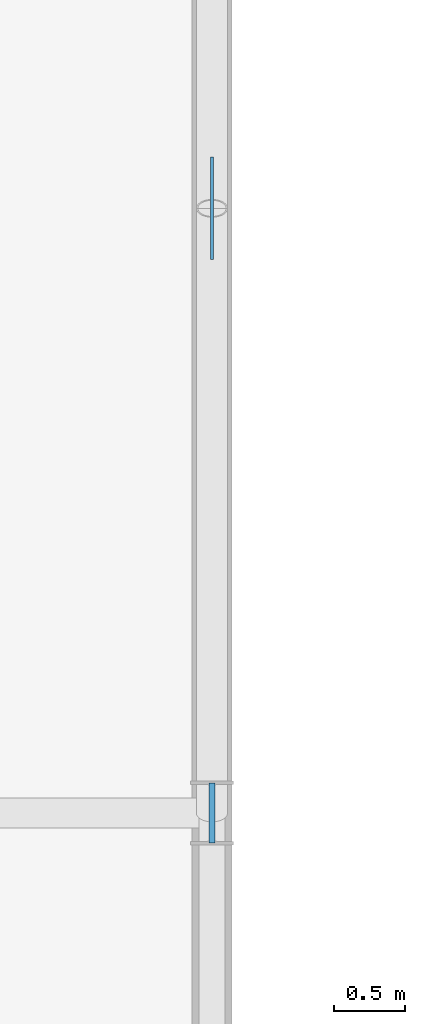
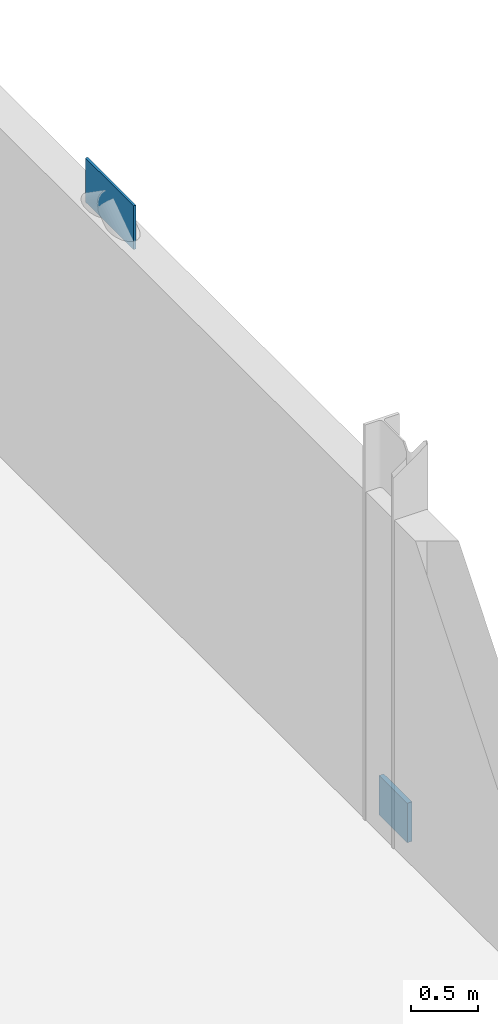
# One storey, part 17 of 36: 2 plates.
"""IFC4 building model written with IfcOpenShell, lengths in metres."""

import ifcopenshell
import ifcopenshell.guid

model = None  # the IFC model being written
_history = None  # IfcOwnerHistory: only IFC2X3 demands one
_inside = {}  # id of a spatial element -> (the spatial element, [elements in it])
_under = {}  # id of a project, library or spatial element -> (it, [spatial elements below it])
_declared = {}  # id of a project -> (the project, [libraries it declares])
_typed = {}  # id of a type object -> (the type object, [elements of that type])
_made_of = {}  # id of a material, layer set ... -> (it, [elements and type objects made of it])


def new_model(schema):
    """Start an empty IFC model of exactly this schema.

    Asked for "IFC4X3", IfcOpenShell would pick the latest addendum, in which some entities
    have other attributes; the version numbers below select the first issue.
    IFC2X3 requires an IfcOwnerHistory on every rooted entity: one is made here for all.
    """
    global model, _history
    if schema == "IFC4X3":
        model = ifcopenshell.file(schema_version=(4, 3, 0, 0))
    else:
        model = ifcopenshell.file(schema=schema)
    _inside.clear()
    _under.clear()
    _declared.clear()
    _typed.clear()
    _made_of.clear()
    _history = None
    if model.schema == "IFC2X3":
        org = make("IfcOrganization", Name="unknown")
        user = make(
            "IfcPersonAndOrganization",
            ThePerson=make("IfcPerson", FamilyName="unknown"),
            TheOrganization=org,
        )
        app = make(
            "IfcApplication",
            ApplicationDeveloper=org,
            Version="unknown",
            ApplicationFullName="unknown",
            ApplicationIdentifier="unknown",
        )
        _history = make(
            "IfcOwnerHistory",
            OwningUser=user,
            OwningApplication=app,
            ChangeAction="ADDED",
            CreationDate=0,
        )
    return model


def make(cls, **values):
    """One entity of the class cls with the attributes given. An attribute that is None is left unset."""
    return model.create_entity(
        cls, **{name: value for name, value in values.items() if value is not None}
    )


def rooted(cls, **values):
    """An entity with a GlobalId (a new one), such as an element, a storey or a relation."""
    return make(cls, GlobalId=ifcopenshell.guid.new(), OwnerHistory=_history, **values)


def si_unit(unit_type, name, prefix=None):
    """IfcSIUnit, for example si_unit("LENGTHUNIT", "METRE", prefix="MILLI")."""
    return make("IfcSIUnit", UnitType=unit_type, Prefix=prefix, Name=name)


def assignment(units):
    """IfcUnitAssignment: the units of a project."""
    return None if units is None else make("IfcUnitAssignment", Units=units)


def point(xyz):
    """IfcCartesianPoint."""
    return None if xyz is None else make("IfcCartesianPoint", Coordinates=xyz)


def direction(xyz):
    """IfcDirection."""
    return None if xyz is None else make("IfcDirection", DirectionRatios=xyz)


def frame(location, z_axis=None, x_axis=None):
    """IfcAxis2Placement3D, a coordinate frame: its origin and axes. An axis left out is left unset."""
    return make(
        "IfcAxis2Placement3D",
        Location=point(location),
        Axis=direction(z_axis),
        RefDirection=direction(x_axis),
    )


def frame_2d(location, x_axis=None):
    """IfcAxis2Placement2D, a coordinate frame in the plane: its origin and x axis."""
    return make(
        "IfcAxis2Placement2D", Location=point(location), RefDirection=direction(x_axis)
    )


def origin():
    """The frame at (0, 0, 0) with its axes left unset."""
    return frame((0.0, 0.0, 0.0))


def origin_2d():
    """The frame at (0, 0) in the plane with its x axis left unset."""
    return frame_2d((0.0, 0.0))


def place(relative_to, where):
    """IfcLocalPlacement: puts the frame where relative to a parent placement (None: the world)."""
    return make(
        "IfcLocalPlacement", PlacementRelTo=relative_to, RelativePlacement=where
    )


def context(
    kind, dimensions, precision=None, world=None, true_north=None, identifier=None
):
    """IfcGeometricRepresentationContext, for example the 3D "Model" context."""
    return make(
        "IfcGeometricRepresentationContext",
        ContextIdentifier=identifier,
        ContextType=kind,
        CoordinateSpaceDimension=dimensions,
        Precision=precision,
        WorldCoordinateSystem=world,
        TrueNorth=true_north,
    )


def subcontext(parent, identifier, kind, view, scale=None):
    """IfcGeometricRepresentationSubContext, for example "Body" below "Model"."""
    return make(
        "IfcGeometricRepresentationSubContext",
        ContextIdentifier=identifier,
        ContextType=kind,
        ParentContext=parent,
        TargetScale=scale,
        TargetView=view,
    )


def project(units=None, contexts=None):
    """IfcProject with its units and contexts."""
    return rooted(
        "IfcProject",
        Name="project",
        RepresentationContexts=contexts,
        UnitsInContext=assignment(units),
    )


def spatial(cls, under=None, at=None, **own):
    """A site, building, storey or space (cls), placed at a placement, below another one or the project."""
    s = rooted(cls, ObjectPlacement=at, **own)
    if under is not None:
        _under.setdefault(under.id(), (under, []))[1].append(s)
    return s


def profile(cls, at=None, kind="AREA", **sizes):
    """A parametric profile (cls). Its sizes go by their IFC names, for example OverallWidth=200.0."""
    return make(cls, ProfileType=kind, Position=at, **sizes)


def rectangle(**sizes):
    """IfcRectangleProfileDef."""
    return profile("IfcRectangleProfileDef", **sizes)


def extrude(swept, where, along, depth):
    """IfcExtrudedAreaSolid: the profile swept, set in the frame where, extruded along a direction by depth."""
    return make(
        "IfcExtrudedAreaSolid",
        SweptArea=swept,
        Position=where,
        ExtrudedDirection=direction(along),
        Depth=depth,
    )


def shape(context_of_items, identifier, shape_type, items):
    """IfcShapeRepresentation: the items that make up one representation, for example the "Body"."""
    return make(
        "IfcShapeRepresentation",
        ContextOfItems=context_of_items,
        RepresentationIdentifier=identifier,
        RepresentationType=shape_type,
        Items=items,
    )


def material(Name=None, Category=None):
    """IfcMaterial."""
    return make("IfcMaterial", Name=Name, Category=Category)


def layer(
    of_material, thickness, ventilated=None, Name=None, Category=None, Priority=None
):
    """IfcMaterialLayer: one layer of a wall or slab, of a material (None: an air gap)."""
    return make(
        "IfcMaterialLayer",
        Material=of_material,
        LayerThickness=thickness,
        IsVentilated=ventilated,
        Name=Name,
        Category=Category,
        Priority=Priority,
    )


def layer_set(layers, Name=None):
    """IfcMaterialLayerSet."""
    return make("IfcMaterialLayerSet", MaterialLayers=layers, LayerSetName=Name)


def made_of(thing, what):
    """Note that an element or type object is made of a material, layer set ...; save() writes the relation."""
    if what is not None:
        _made_of.setdefault(what.id(), (what, []))[1].append(thing)
    return thing


def type_object(cls, material=None, **own):
    """A type object (cls), such as IfcWallType, which elements share."""
    return made_of(rooted(cls, **own), material)


def element(
    cls,
    number,
    at=None,
    inside=None,
    cuts=None,
    type_object=None,
    material=None,
    context=None,
    identifier="Body",
    shape_type=None,
    held_by="IfcProductDefinitionShape",
    body=None,
    shapes=None,
    **own,
):
    """One element of the class cls, such as IfcWall. Its Tag is "e" and its number.

    at: its placement. inside: the storey or other place that contains it. cuts: it is an
    opening in that element (IfcRelVoidsElement). A single representation is given by context,
    identifier, shape_type and body (its items); several are given by shapes. held_by: the class
    of the entity that holds the representations. save() writes the other relations.
    """
    e = rooted(cls, Tag="e%d" % number, ObjectPlacement=at, **own)
    if body is not None:
        shapes = [shape(context, identifier, shape_type, body)]
    if shapes is not None:
        e.Representation = make(held_by, Representations=shapes)
    if inside is not None:
        _inside.setdefault(inside.id(), (inside, []))[1].append(e)
    if cuts is not None:
        rooted(
            "IfcRelVoidsElement", RelatingBuildingElement=cuts, RelatedOpeningElement=e
        )
    if type_object is not None:
        _typed.setdefault(type_object.id(), (type_object, []))[1].append(e)
    return made_of(e, material)


def aggregate(whole, parts):
    """IfcRelAggregates: a whole, such as a stair, and the parts it consists of."""
    return rooted("IfcRelAggregates", RelatingObject=whole, RelatedObjects=parts)


def save(model, path):
    """Write the relations noted so far, then the file.

    IfcRelAggregates (storeys below a building ...), IfcRelContainedInSpatialStructure (elements
    in a storey), IfcRelDefinesByType, IfcRelAssociatesMaterial and IfcRelDeclares: one each for
    every whole, place, type object, material and project.
    """
    for whole, parts in _under.values():
        aggregate(whole, parts)
    for where, things in _inside.values():
        rooted(
            "IfcRelContainedInSpatialStructure",
            RelatedElements=things,
            RelatingStructure=where,
        )
    for kind, things in _typed.values():
        rooted("IfcRelDefinesByType", RelatedObjects=things, RelatingType=kind)
    for what, things in _made_of.values():
        rooted("IfcRelAssociatesMaterial", RelatedObjects=things, RelatingMaterial=what)
    for by, libraries in _declared.values():
        rooted("IfcRelDeclares", RelatingContext=by, RelatedDefinitions=libraries)
    model.write(path)


model = new_model("IFC4")

# Units and contexts
model_context = context("Model", 3, precision=1e-05, world=origin(), true_north=direction((0.0, 1.0)))
body_context = subcontext(model_context, "Body", "Model", "MODEL_VIEW")
ifc_project = project(units=[si_unit("LENGTHUNIT", "METRE"), si_unit("AREAUNIT", "SQUARE_METRE"), si_unit("VOLUMEUNIT", "CUBIC_METRE"), si_unit("PLANEANGLEUNIT", "RADIAN"), si_unit("MASSUNIT", "GRAM", prefix="KILO")], contexts=[model_context])

# Site, building, storey
site_placement = place(None, origin())
site = spatial("IfcSite", under=ifc_project, at=site_placement, CompositionType="ELEMENT")
building_placement = place(site_placement, origin())
building = spatial("IfcBuilding", under=site, at=building_placement, Name="Sefraquen Railside Congress Hotel", CompositionType="ELEMENT")
storey_placement = place(building_placement, frame((0.0, 0.0, 28.199951171875)))
storey = spatial("IfcBuildingStorey", under=building, at=storey_placement, Name="L06", CompositionType="ELEMENT", Elevation=28.199951171875)

# Plates
ifc_material = material(Name="Steel S355J2", Category="steel")
ifc_layer_1 = layer(ifc_material, 0.02001953125)
ifc_layer_set_1 = layer_set([ifc_layer_1], Name="Steel S355J2")
plate_type_1 = type_object("IfcPlateType", Name="TP-GUS-01", PredefinedType="SHEET", material=ifc_layer_set_1)
plate_1_placement = place(storey_placement, frame((25.199951171875, 75.25, 2.91015625), z_axis=(0.0, 0.0, 1.0), x_axis=(0.0, 1.0, 0.0)))
element("IfcPlate", 1, at=plate_1_placement, inside=storey, type_object=plate_type_1, Name="Chevron braced-frame apex gusset plate BF2 L06", PredefinedType="SHEET", context=body_context, shape_type="SweptSolid", body=[
    extrude(rectangle(XDim=0.719970703125, YDim=0.02001953125, at=origin_2d()), origin(), (0.0, 0.0, 1.0), 0.39990234375),
])
ifc_layer_2 = layer(ifc_material, 0.0400390625)
ifc_layer_set_2 = layer_set([ifc_layer_2], Name="Steel S355J2")
plate_type_2 = type_object("IfcPlateType", Name="TP-GUS-02", PredefinedType="SHEET", material=ifc_layer_set_2)
plate_2_placement = place(storey_placement, frame((25.199951171875, 71.0, 0.0), z_axis=(0.0, 0.0, 1.0), x_axis=(0.0, 1.0, 0.0)))
element("IfcPlate", 2, at=plate_2_placement, inside=storey, type_object=plate_type_2, Name="Chevron braced-frame base gusset plate BF2-L L06", PredefinedType="SHEET", context=body_context, shape_type="SweptSolid", body=[
    extrude(rectangle(XDim=0.419921875, YDim=0.0400390625, at=origin_2d()), origin(), (0.0, 0.0, 1.0), 0.360107421875),
])

save(model, "model.ifc")
